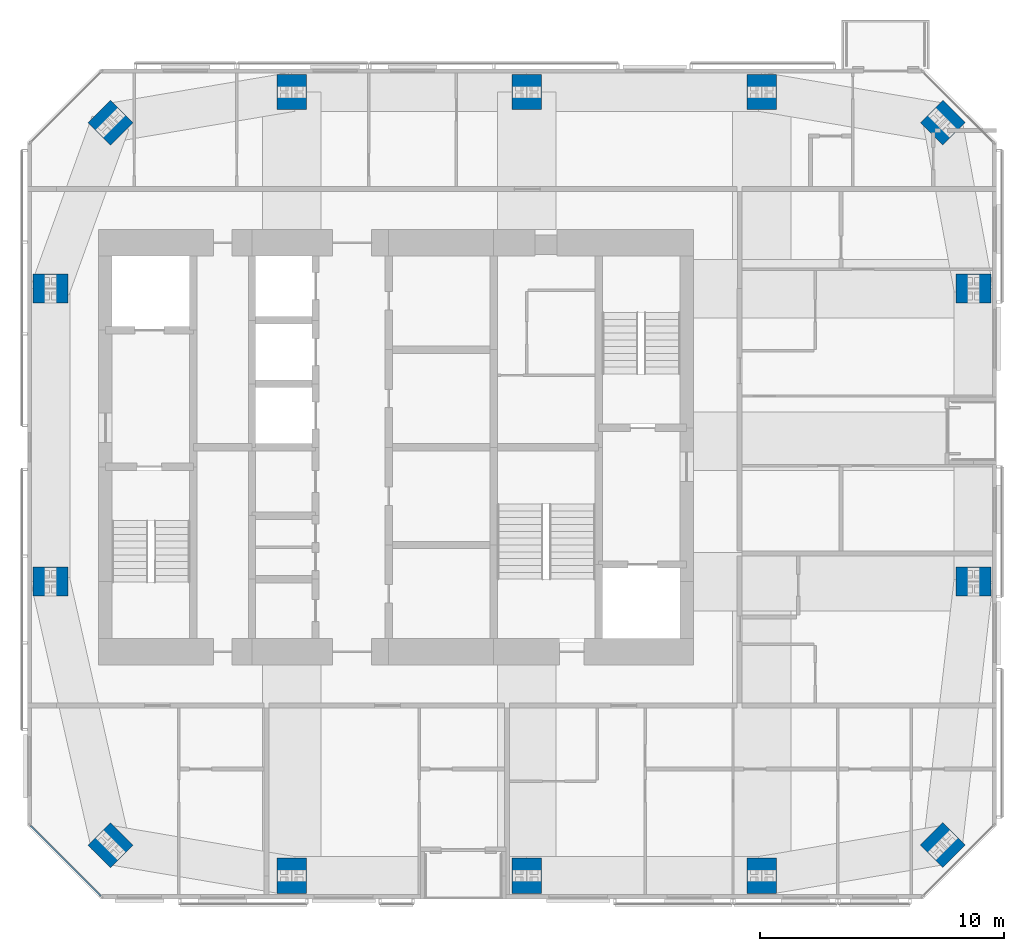
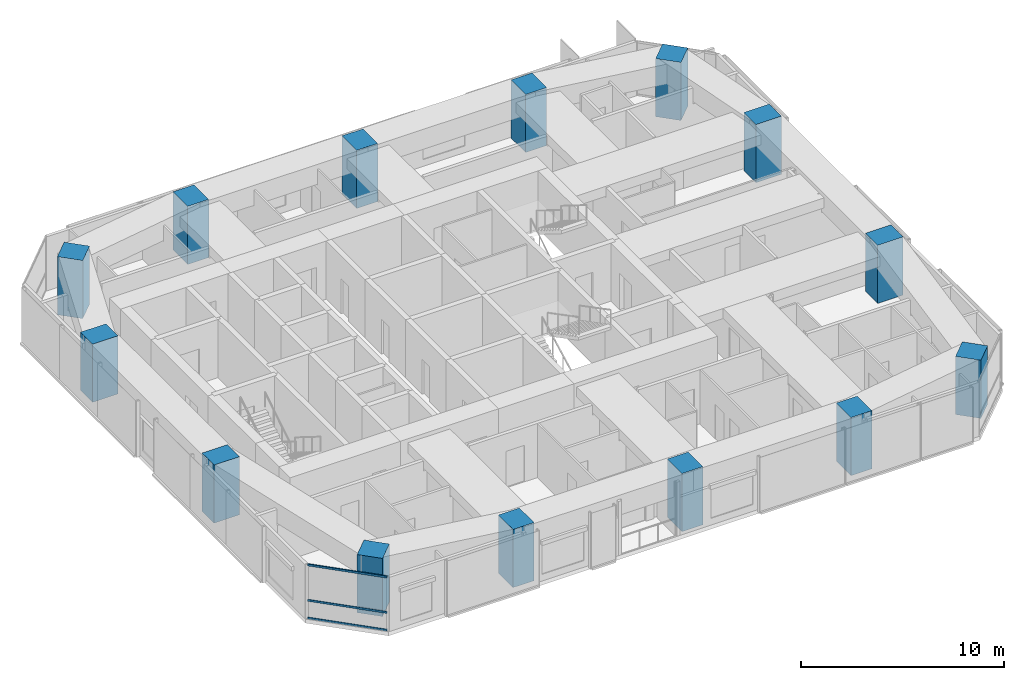
# One storey, part 1 of 20: 14 columns, 3 members, 1 element without a shape of its own.
"""IFC4 building model written with IfcOpenShell, lengths in metres."""

from ifc_helpers import new_model, si_unit, direction, frame, origin, origin_2d, place, context, subcontext, project, spatial, rectangle, extrude, material, material_profile, profile_set, type_object, element, aggregate, save


model = new_model("IFC4")

# Units and contexts
model_context = context("Model", 3, precision=1e-05, world=origin(), true_north=direction((0.0, 1.0)))
body_context = subcontext(model_context, "Body", "Model", "MODEL_VIEW")
ifc_project = project(units=[si_unit("LENGTHUNIT", "METRE"), si_unit("AREAUNIT", "SQUARE_METRE"), si_unit("VOLUMEUNIT", "CUBIC_METRE"), si_unit("PLANEANGLEUNIT", "RADIAN"), si_unit("MASSUNIT", "GRAM", prefix="KILO")], contexts=[model_context])

# Site, building, storey
site_placement = place(None, origin())
site = spatial("IfcSite", under=ifc_project, at=site_placement, CompositionType="ELEMENT")
building_placement = place(site_placement, origin())
building = spatial("IfcBuilding", under=site, at=building_placement, Name="Jalousie Tower", CompositionType="ELEMENT")
storey_placement = place(building_placement, frame((0.0, 0.0, 245.949951171875)))
storey = spatial("IfcBuildingStorey", under=building, at=storey_placement, Name="L67", CompositionType="ELEMENT", Elevation=245.949951171875)

# Columns
ifc_material_1 = material(Name="Concrete f'c 120 MPa", Category="concrete")
ifc_material_profile_1 = material_profile(ifc_material_1, rectangle(XDim=1.300048828125, YDim=1.300048828125, at=origin_2d()), Name="RC 1300x1300")
ifc_profile_set_1 = profile_set([ifc_material_profile_1], Name="Concrete f'c 120 MPa")
column_type_1 = type_object("IfcColumnType", Name="RC COLUMN 1300x1300", PredefinedType="COLUMN", material=ifc_profile_set_1)
for number, where, z_axis, x_axis, name in (
    (1, (20.20703125, 2.20703125, 0.0), (0.0, 0.0, 1.0), (0.707106781187, 0.707106781187, 0.0), "Column 01 L67"),
    (2, (54.29296875, 2.20703125, 0.0), (0.0, 0.0, 1.0), (0.707106781187, 0.707106781187, 0.0), "Column 05 L67"),
    (3, (54.29296875, 31.79296875, 0.0), (0.0, 0.0, 1.0), (0.707106781187, 0.707106781187, 0.0), "Column 08 L67"),
    (4, (20.20703125, 31.79296875, 0.0), (0.0, 0.0, 1.0), (0.707106781187, 0.707106781187, 0.0), "Column 12 L67"),
):
    element("IfcColumn", number, at=place(storey_placement, frame(where, z_axis=z_axis, x_axis=x_axis)), inside=storey, type_object=column_type_1, Name=name, PredefinedType="COLUMN", context=body_context, shape_type="SweptSolid", body=[
        extrude(rectangle(XDim=1.300048828125, YDim=1.300048828125, at=origin_2d()), origin(), (0.0, 0.0, 1.0), 3.5),
    ])
ifc_material_2 = material(Name="Concrete f'c 120 MPa", Category="concrete")
ifc_material_profile_2 = material_profile(ifc_material_2, rectangle(XDim=1.449951171875, YDim=1.199951171875, at=origin_2d()), Name="RC 1450x1200")
ifc_profile_set_2 = profile_set([ifc_material_profile_2], Name="Concrete f'c 120 MPa")
column_type_2 = type_object("IfcColumnType", Name="RC COLUMN 1450x1200", PredefinedType="COLUMN", material=ifc_profile_set_2)
for number, where, z_axis, x_axis, name in (
    (5, (27.625, 0.949951171875, 0.0), (0.0, 0.0, 1.0), (0.0, 1.0, 0.0), "Column 02 L67"),
    (6, (37.25, 0.949951171875, 0.0), (0.0, 0.0, 1.0), (0.0, 1.0, 0.0), "Column 03 L67"),
    (7, (46.875, 0.949951171875, 0.0), (0.0, 0.0, 1.0), (0.0, 1.0, 0.0), "Column 04 L67"),
    (8, (55.550048828125, 13.0, 0.0), (0.0, 0.0, 1.0), (1.0, 0.0, 0.0), "Column 06 L67"),
    (9, (55.550048828125, 25.0, 0.0), (0.0, 0.0, 1.0), (1.0, 0.0, 0.0), "Column 07 L67"),
    (10, (46.875, 33.050048828125, 0.0), (0.0, 0.0, 1.0), (0.0, 1.0, 0.0), "Column 09 L67"),
    (11, (37.25, 33.050048828125, 0.0), (0.0, 0.0, 1.0), (0.0, 1.0, 0.0), "Column 10 L67"),
    (12, (27.625, 33.050048828125, 0.0), (0.0, 0.0, 1.0), (0.0, 1.0, 0.0), "Column 11 L67"),
    (13, (17.75, 25.0, 0.0), (0.0, 0.0, 1.0), (1.0, 0.0, 0.0), "Column 13 L67"),
    (14, (17.75, 13.0, 0.0), (0.0, 0.0, 1.0), (1.0, 0.0, 0.0), "Column 14 L67"),
):
    element("IfcColumn", number, at=place(storey_placement, frame(where, z_axis=z_axis, x_axis=x_axis)), inside=storey, type_object=column_type_2, Name=name, PredefinedType="COLUMN", context=body_context, shape_type="SweptSolid", body=[
        extrude(rectangle(XDim=1.449951171875, YDim=1.199951171875, at=origin_2d()), origin(), (0.0, 0.0, 1.0), 3.5),
    ])

# Curtain wall, members
ifc_material_3 = material(Name="Aluminium curtain wall", Category="aluminium")
curtain_wall_type = type_object("IfcCurtainWallType", Name="CORNER WINDOW WALL", PredefinedType="USERDEFINED", material=ifc_material_3)
curtain_wall_placement = place(storey_placement, origin())
curtain_wall = element("IfcCurtainWall", 15, at=curtain_wall_placement, inside=storey, type_object=curtain_wall_type, Name="Corner Window Wall L67 8", ObjectType="CORNER WINDOW WALL", PredefinedType="USERDEFINED")
ifc_material_4 = material(Name="Aluminium transom", Category="aluminium")
ifc_material_profile_3 = material_profile(ifc_material_4, rectangle(XDim=0.06005859375, YDim=0.1201171875, at=origin_2d()), Name="TRANSOM 60x120")
ifc_profile_set_3 = profile_set([ifc_material_profile_3], Name="Aluminium transom")
member_type = type_object("IfcMemberType", Name="CORNER WINDOW WALL TRANSOM", PredefinedType="USERDEFINED", material=ifc_profile_set_3)
member_1_placement = place(storey_placement, frame((16.929931640625, 3.0087890625, 0.030029296875), z_axis=(0.707106781187, -0.707106781187, 0.0), x_axis=(0.707106781187, 0.707106781187, 0.0)))
member_1 = element("IfcMember", 16, at=member_1_placement, type_object=member_type, Name="CW-C transom 1.1", ObjectType="TRANSOM", PredefinedType="USERDEFINED", context=body_context, shape_type="SweptSolid", body=[
    extrude(rectangle(XDim=0.06005859375, YDim=0.1201171875, at=origin_2d()), origin(), (0.0, 0.0, 1.0), 4.0712890625),
])
member_2_placement = place(storey_placement, frame((16.929931640625, 3.0087890625, 1.10009765625), z_axis=(0.707106781187, -0.707106781187, 0.0), x_axis=(0.707106781187, 0.707106781187, 0.0)))
member_2 = element("IfcMember", 17, at=member_2_placement, type_object=member_type, Name="CW-C transom 1.2", ObjectType="TRANSOM", PredefinedType="USERDEFINED", context=body_context, shape_type="SweptSolid", body=[
    extrude(rectangle(XDim=0.06005859375, YDim=0.1201171875, at=origin_2d()), origin(), (0.0, 0.0, 1.0), 4.0712890625),
])
member_3_placement = place(storey_placement, frame((16.929931640625, 3.0087890625, 3.22998046875), z_axis=(0.707106781187, -0.707106781187, 0.0), x_axis=(0.707106781187, 0.707106781187, 0.0)))
member_3 = element("IfcMember", 18, at=member_3_placement, type_object=member_type, Name="CW-C transom 1.3", ObjectType="TRANSOM", PredefinedType="USERDEFINED", context=body_context, shape_type="SweptSolid", body=[
    extrude(rectangle(XDim=0.06005859375, YDim=0.1201171875, at=origin_2d()), origin(), (0.0, 0.0, 1.0), 4.0712890625),
])
aggregate(curtain_wall, [member_1, member_2, member_3])

save(model, "model.ifc")
